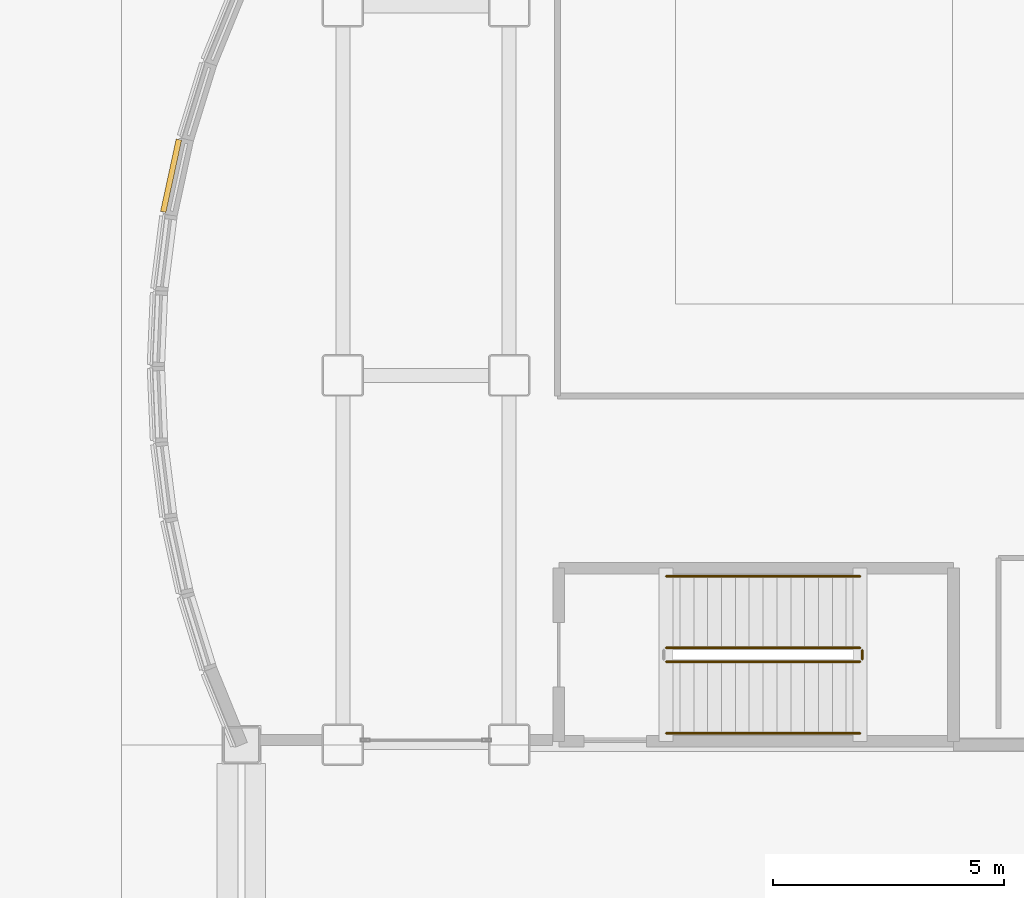
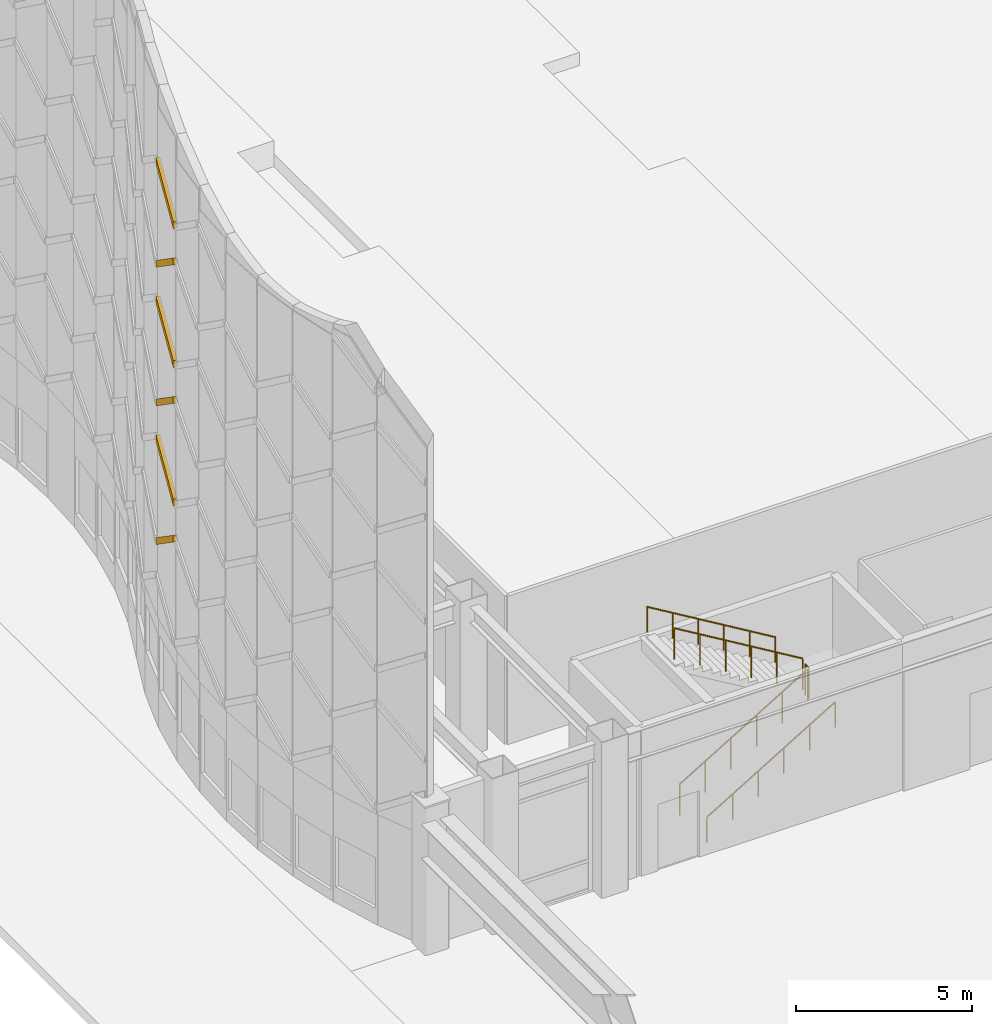
# One storey, part 146 of 165: 6 coverings, 5 railings.
"""IFC4 building model written with IfcOpenShell, lengths in metres."""

from ifc_helpers import new_model, si_unit, direction, frame, origin, origin_2d, place, context, subcontext, project, spatial, polyline, circle, outline, extrude, material, layer, layer_set, type_object, element, save


model = new_model("IFC4")

# Units and contexts
model_context = context("Model", 3, precision=1e-05, world=origin(), true_north=direction((0.0, 1.0)))
body_context = subcontext(model_context, "Body", "Model", "MODEL_VIEW")
ifc_project = project(units=[si_unit("LENGTHUNIT", "METRE"), si_unit("AREAUNIT", "SQUARE_METRE"), si_unit("VOLUMEUNIT", "CUBIC_METRE"), si_unit("PLANEANGLEUNIT", "RADIAN"), si_unit("MASSUNIT", "GRAM", prefix="KILO")], contexts=[model_context])

# Site, building, storey
site_placement = place(None, origin())
site = spatial("IfcSite", under=ifc_project, at=site_placement, CompositionType="ELEMENT")
building_placement = place(site_placement, origin())
building = spatial("IfcBuilding", under=site, at=building_placement, Name="Kazehara Bluff Congress Hotel", CompositionType="ELEMENT")
storey_placement = place(building_placement, origin())
storey = spatial("IfcBuildingStorey", under=building, at=storey_placement, Name="L00", CompositionType="ELEMENT", Elevation=0.0)

# Coverings
ifc_material_1 = material(Name="Basalt stone-grey chevron ceramic tile", Category="masonry")
ifc_layer = layer(ifc_material_1, 0.1201171875)
ifc_layer_set = layer_set([ifc_layer], Name="Basalt stone-grey chevron ceramic tile")
covering_type = type_object("IfcCoveringType", Name="TP-CHV-RIB", PredefinedType="CLADDING", material=ifc_layer_set)
covering_1_placement = place(storey_placement, frame((0.89990234375, 59.955078125, 6.39990234375), z_axis=(0.0, 0.0, 1.0), x_axis=(0.211565717967, 0.97736377413, 0.0)))
element("IfcCovering", 1, at=covering_1_placement, inside=storey, type_object=covering_type, Name="Chevron stone-grey tile rib WR-V1-08-2", PredefinedType="CLADDING", context=body_context, shape_type="SweptSolid", body=[
    extrude(outline(polyline([(0.0400390625, 1.150146484375), (1.639892578125, 0.0), (1.639892578125, 0.239990234375), (0.0400390625, 1.39013671875), (0.0400390625, 1.150146484375)])), frame((0.0, 0.06005859375, 0.0), z_axis=(0.0, -1.0, 0.0), x_axis=(1.0, 0.0, 0.0)), (0.0, 0.0, 1.0), 0.1201171875),
])
covering_2_placement = place(storey_placement, frame((0.89990234375, 59.955078125, 8.800048828125), z_axis=(0.0, 0.0, 1.0), x_axis=(0.211565717967, 0.97736377413, 0.0)))
element("IfcCovering", 2, at=covering_2_placement, inside=storey, type_object=covering_type, Name="Chevron stone-grey tile rib WR-V1-08-3", PredefinedType="CLADDING", context=body_context, shape_type="SweptSolid", body=[
    extrude(outline(polyline([(0.0400390625, 0.0), (1.639892578125, 1.14990234375), (1.639892578125, 1.389892578125), (0.0400390625, 0.239990234375), (0.0400390625, 0.0)])), frame((0.0, 0.06005859375, 0.0), z_axis=(0.0, -1.0, 0.0), x_axis=(1.0, 0.0, 0.0)), (0.0, 0.0, 1.0), 0.1201171875),
])
covering_3_placement = place(storey_placement, frame((0.89990234375, 59.955078125, 11.199951171875), z_axis=(0.0, 0.0, 1.0), x_axis=(0.211565717967, 0.97736377413, 0.0)))
element("IfcCovering", 3, at=covering_3_placement, inside=storey, type_object=covering_type, Name="Chevron stone-grey tile rib WR-V1-08-4", PredefinedType="CLADDING", context=body_context, shape_type="SweptSolid", body=[
    extrude(outline(polyline([(0.0400390625, 1.150146484375), (1.639892578125, 0.0), (1.639892578125, 0.239990234375), (0.0400390625, 1.39013671875), (0.0400390625, 1.150146484375)])), frame((0.0, 0.06005859375, 0.0), z_axis=(0.0, -1.0, 0.0), x_axis=(1.0, 0.0, 0.0)), (0.0, 0.0, 1.0), 0.1201171875),
])
covering_4_placement = place(storey_placement, frame((0.89990234375, 59.955078125, 13.60009765625), z_axis=(0.0, 0.0, 1.0), x_axis=(0.211565717967, 0.97736377413, 0.0)))
element("IfcCovering", 4, at=covering_4_placement, inside=storey, type_object=covering_type, Name="Chevron stone-grey tile rib WR-V1-08-5", PredefinedType="CLADDING", context=body_context, shape_type="SweptSolid", body=[
    extrude(outline(polyline([(0.0400390625, 0.0), (1.639892578125, 1.14990234375), (1.639892578125, 1.389892578125), (0.0400390625, 0.239990234375), (0.0400390625, 0.0)])), frame((0.0, 0.06005859375, 0.0), z_axis=(0.0, -1.0, 0.0), x_axis=(1.0, 0.0, 0.0)), (0.0, 0.0, 1.0), 0.1201171875),
])
covering_5_placement = place(storey_placement, frame((0.89990234375, 59.955078125, 16.0), z_axis=(0.0, 0.0, 1.0), x_axis=(0.211565717967, 0.97736377413, 0.0)))
element("IfcCovering", 5, at=covering_5_placement, inside=storey, type_object=covering_type, Name="Chevron stone-grey tile rib WR-V1-08-6", PredefinedType="CLADDING", context=body_context, shape_type="SweptSolid", body=[
    extrude(outline(polyline([(0.0400390625, 1.14990234375), (1.639892578125, 0.0), (1.639892578125, 0.239990234375), (0.0400390625, 1.389892578125), (0.0400390625, 1.14990234375)])), frame((0.0, 0.06005859375, 0.0), z_axis=(0.0, -1.0, 0.0), x_axis=(1.0, 0.0, 0.0)), (0.0, 0.0, 1.0), 0.1201171875),
])
covering_6_placement = place(storey_placement, frame((0.89990234375, 59.955078125, 18.39990234375), z_axis=(0.0, 0.0, 1.0), x_axis=(0.211565717967, 0.97736377413, 0.0)))
element("IfcCovering", 6, at=covering_6_placement, inside=storey, type_object=covering_type, Name="Chevron stone-grey tile rib WR-V1-08-7", PredefinedType="CLADDING", context=body_context, shape_type="SweptSolid", body=[
    extrude(outline(polyline([(0.0400390625, 0.0), (1.639892578125, 1.150146484375), (1.639892578125, 1.39013671875), (0.0400390625, 0.239990234375), (0.0400390625, 0.0)])), frame((0.0, 0.06005859375, 0.0), z_axis=(0.0, -1.0, 0.0), x_axis=(1.0, 0.0, 0.0)), (0.0, 0.0, 1.0), 0.1201171875),
])

# Railings
ifc_material_2 = material(Name="Brushed stainless steel", Category="steel")
railing_type_1 = type_object("IfcRailingType", Name="TP-GRD-INT", PredefinedType="GUARDRAIL", material=ifc_material_2)
railing_1_placement = place(storey_placement, frame((11.800048828125, 50.25, 0.179931640625)))
element("IfcRailing", 7, at=railing_1_placement, inside=storey, type_object=railing_type_1, Name="L00 ST-03 stair guard 1", PredefinedType="GUARDRAIL", context=body_context, shape_type="SweptSolid", body=[
    extrude(circle(Radius=0.02392578125, at=origin_2d()), frame((0.0, 0.0, 1.076171875), z_axis=(0.857488527567, 0.0, 0.514503085598), x_axis=(0.0, 1.0, 0.0)), (0.0, 0.0, 1.0), 4.89794921875),
    extrude(circle(Radius=0.02099609375, at=origin_2d()), origin(), (0.0, 0.0, 1.0), 1.052001953125),
    extrude(circle(Radius=0.02099609375, at=origin_2d()), frame((0.840087890625, 0.0, 0.50390625)), (0.0, 0.0, 1.0), 1.052001953125),
    extrude(circle(Radius=0.02099609375, at=origin_2d()), frame((1.679931640625, 0.0, 1.008056640625)), (0.0, 0.0, 1.0), 1.052001953125),
    extrude(circle(Radius=0.02099609375, at=origin_2d()), frame((2.52001953125, 0.0, 1.511962890625)), (0.0, 0.0, 1.0), 1.052001953125),
    extrude(circle(Radius=0.02099609375, at=origin_2d()), frame((3.35986328125, 0.0, 2.01611328125)), (0.0, 0.0, 1.0), 1.052001953125),
    extrude(circle(Radius=0.02099609375, at=origin_2d()), frame((4.199951171875, 0.0, 2.52001953125)), (0.0, 0.0, 1.0), 1.052001953125),
])
railing_2_placement = place(storey_placement, frame((16.050048828125, 50.300048828125, 2.699951171875)))
element("IfcRailing", 8, at=railing_2_placement, inside=storey, type_object=railing_type_1, Name="L00 ST-03 stair guard 2", PredefinedType="GUARDRAIL", context=body_context, shape_type="SweptSolid", body=[
    extrude(circle(Radius=0.02392578125, at=origin_2d()), frame((0.0, 0.0, 1.076171875), z_axis=(0.0, 1.0, 0.0), x_axis=(-1.0, 0.0, 0.0)), (0.0, 0.0, 1.0), 0.199951171875),
    extrude(circle(Radius=0.02099609375, at=origin_2d()), origin(), (0.0, 0.0, 1.0), 1.052001953125),
    extrude(circle(Radius=0.02099609375, at=origin_2d()), frame((0.0, 0.199951171875, 0.0)), (0.0, 0.0, 1.0), 1.052001953125),
])
railing_3_placement = place(storey_placement, frame((16.0, 50.550048828125, 2.8798828125)))
element("IfcRailing", 9, at=railing_3_placement, inside=storey, type_object=railing_type_1, Name="L00 ST-03 stair guard 3", PredefinedType="GUARDRAIL", context=body_context, shape_type="SweptSolid", body=[
    extrude(circle(Radius=0.02392578125, at=origin_2d()), frame((0.0, 0.0, 1.076171875), z_axis=(-0.857488527567, 0.0, 0.514503085598), x_axis=(0.0, -1.0, 0.0)), (0.0, 0.0, 1.0), 4.89794921875),
    extrude(circle(Radius=0.02099609375, at=origin_2d()), origin(), (0.0, 0.0, 1.0), 1.052001953125),
    extrude(circle(Radius=0.02099609375, at=origin_2d()), frame((-0.840087890625, 0.0, 0.50390625)), (0.0, 0.0, 1.0), 1.052001953125),
    extrude(circle(Radius=0.02099609375, at=origin_2d()), frame((-1.679931640625, 0.0, 1.008056640625)), (0.0, 0.0, 1.0), 1.052001953125),
    extrude(circle(Radius=0.02099609375, at=origin_2d()), frame((-2.52001953125, 0.0, 1.511962890625)), (0.0, 0.0, 1.0), 1.052001953125),
    extrude(circle(Radius=0.02099609375, at=origin_2d()), frame((-3.35986328125, 0.0, 2.01611328125)), (0.0, 0.0, 1.0), 1.052001953125),
    extrude(circle(Radius=0.02099609375, at=origin_2d()), frame((-4.199951171875, 0.0, 2.52001953125)), (0.0, 0.0, 1.0), 1.052001953125),
])
ifc_material_3 = material(Name="Brushed stainless steel", Category="steel")
railing_type_2 = type_object("IfcRailingType", Name="TP-HR-INT", PredefinedType="HANDRAIL", material=ifc_material_3)
railing_4_placement = place(storey_placement, frame((11.800048828125, 48.699951171875, 0.179931640625)))
element("IfcRailing", 10, at=railing_4_placement, inside=storey, type_object=railing_type_2, Name="L00 ST-03 stair handrail 1", PredefinedType="HANDRAIL", context=body_context, shape_type="SweptSolid", body=[
    extrude(circle(Radius=0.02392578125, at=origin_2d()), frame((0.0, 0.0, 0.8759765625), z_axis=(0.857488527567, 0.0, 0.514503085598), x_axis=(0.0, 1.0, 0.0)), (0.0, 0.0, 1.0), 4.89794921875),
    extrude(circle(Radius=0.02099609375, at=origin_2d()), origin(), (0.0, 0.0, 1.0), 0.851806640625),
    extrude(circle(Radius=0.02099609375, at=origin_2d()), frame((0.840087890625, 0.0, 0.50390625)), (0.0, 0.0, 1.0), 0.851806640625),
    extrude(circle(Radius=0.02099609375, at=origin_2d()), frame((1.679931640625, 0.0, 1.008056640625)), (0.0, 0.0, 1.0), 0.851806640625),
    extrude(circle(Radius=0.02099609375, at=origin_2d()), frame((2.52001953125, 0.0, 1.511962890625)), (0.0, 0.0, 1.0), 0.851806640625),
    extrude(circle(Radius=0.02099609375, at=origin_2d()), frame((3.35986328125, 0.0, 2.01611328125)), (0.0, 0.0, 1.0), 0.851806640625),
    extrude(circle(Radius=0.02099609375, at=origin_2d()), frame((4.199951171875, 0.0, 2.52001953125)), (0.0, 0.0, 1.0), 0.851806640625),
])
railing_5_placement = place(storey_placement, frame((16.0, 52.10009765625, 2.8798828125)))
element("IfcRailing", 11, at=railing_5_placement, inside=storey, type_object=railing_type_2, Name="L00 ST-03 stair handrail 2", PredefinedType="HANDRAIL", context=body_context, shape_type="SweptSolid", body=[
    extrude(circle(Radius=0.02392578125, at=origin_2d()), frame((0.0, 0.0, 0.8759765625), z_axis=(-0.857488527567, 0.0, 0.514503085598), x_axis=(0.0, -1.0, 0.0)), (0.0, 0.0, 1.0), 4.89794921875),
    extrude(circle(Radius=0.02099609375, at=origin_2d()), origin(), (0.0, 0.0, 1.0), 0.851806640625),
    extrude(circle(Radius=0.02099609375, at=origin_2d()), frame((-0.840087890625, 0.0, 0.50390625)), (0.0, 0.0, 1.0), 0.851806640625),
    extrude(circle(Radius=0.02099609375, at=origin_2d()), frame((-1.679931640625, 0.0, 1.008056640625)), (0.0, 0.0, 1.0), 0.851806640625),
    extrude(circle(Radius=0.02099609375, at=origin_2d()), frame((-2.52001953125, 0.0, 1.511962890625)), (0.0, 0.0, 1.0), 0.851806640625),
    extrude(circle(Radius=0.02099609375, at=origin_2d()), frame((-3.35986328125, 0.0, 2.01611328125)), (0.0, 0.0, 1.0), 0.851806640625),
    extrude(circle(Radius=0.02099609375, at=origin_2d()), frame((-4.199951171875, 0.0, 2.52001953125)), (0.0, 0.0, 1.0), 0.851806640625),
])

save(model, "model.ifc")
